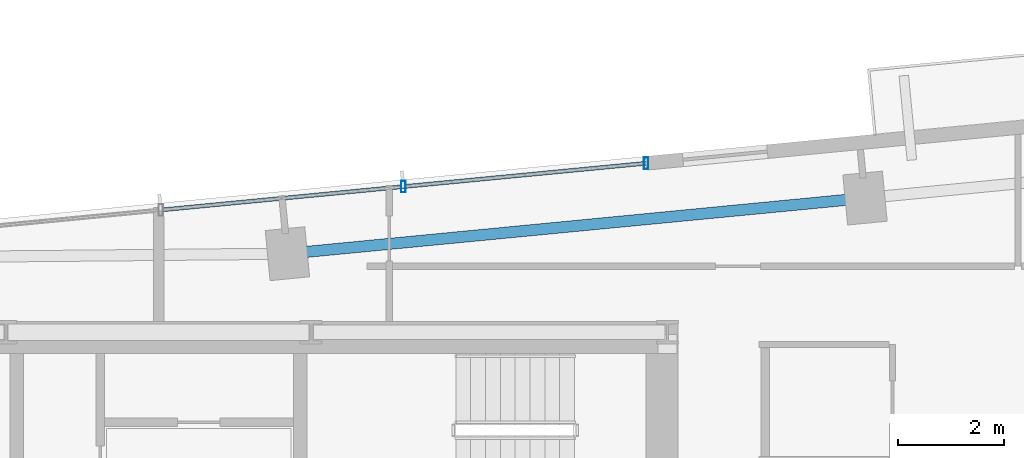
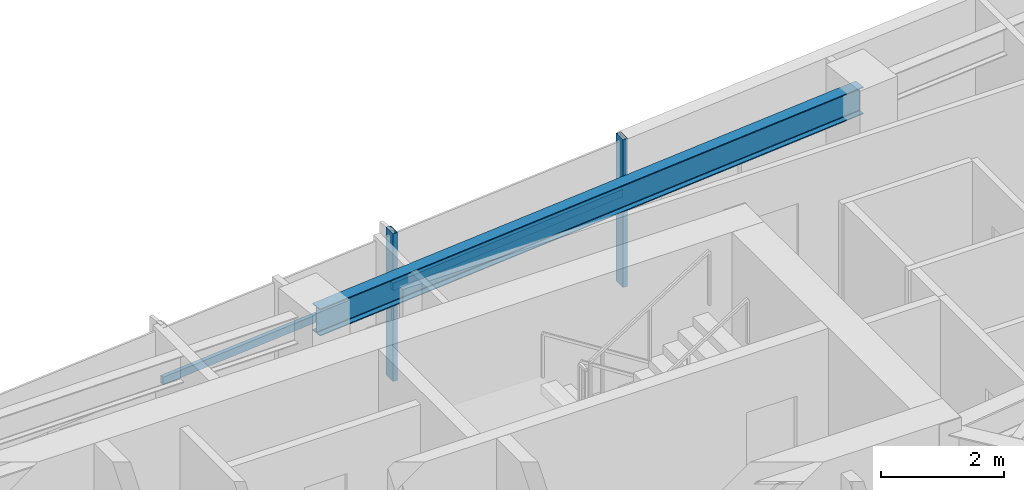
# One storey, part 7 of 18: 4 members, 1 beam, 1 element without a shape of its own.
"""IFC4 building model written with IfcOpenShell, lengths in metres."""

from ifc_helpers import new_model, si_unit, direction, frame, origin, origin_2d, place, context, subcontext, project, spatial, hollow_rectangle, i_section, extrude, source, transform, mapped, material, material_profile, profile_set, type_object, type_shapes, element, aggregate, save


model = new_model("IFC4")

# Units and contexts
model_context = context("Model", 3, precision=1e-05, world=origin(), true_north=direction((0.0, 1.0)))
body_context = subcontext(model_context, "Body", "Model", "MODEL_VIEW")
ifc_project = project(units=[si_unit("LENGTHUNIT", "METRE"), si_unit("AREAUNIT", "SQUARE_METRE"), si_unit("VOLUMEUNIT", "CUBIC_METRE"), si_unit("PLANEANGLEUNIT", "RADIAN"), si_unit("MASSUNIT", "GRAM", prefix="KILO")], contexts=[model_context])

# Site, building, storey
site_placement = place(None, origin())
site = spatial("IfcSite", under=ifc_project, at=site_placement, CompositionType="ELEMENT")
building_placement = place(site_placement, origin())
building = spatial("IfcBuilding", under=site, at=building_placement, Name="Astriad Promenade Condominiums", CompositionType="ELEMENT")
storey_placement = place(building_placement, frame((0.0, 0.0, 185.800048828125)))
storey = spatial("IfcBuildingStorey", under=building, at=storey_placement, Name="L53", CompositionType="ELEMENT", Elevation=185.800048828125)

# Beam
ifc_material_1 = material(Name="Steel ASTM A992 Grade 50", Category="steel")
ifc_material_profile_1 = material_profile(ifc_material_1, i_section(OverallWidth=0.210693359375, OverallDepth=0.53955078125, WebThickness=0.01171875, FlangeThickness=0.018798828125, FilletRadius=0.0166015625, at=origin_2d()), Name="W21X73")
ifc_profile_set_1 = profile_set([ifc_material_profile_1], Name="Steel ASTM A992 Grade 50")
beam_type = type_object("IfcBeamType", Name="STEEL SPANDREL BEAM W21X73", PredefinedType="SPANDREL", material=ifc_profile_set_1)
shared_shape_1 = source(origin(), body_context, "Body", "SweptSolid", [
    extrude(i_section(OverallWidth=0.210693359375, OverallDepth=0.53955078125, WebThickness=0.01171875, FlangeThickness=0.018798828125, FilletRadius=0.0166015625, at=origin_2d()), origin(), (0.0, 0.0, 1.0), 10.869873046875),
])
type_shapes(beam_type, [shared_shape_1])
beam_placement = place(storey_placement, frame((49.291015625, 26.52880859375, 2.670166015625), z_axis=(-0.995394779798, -0.09586048378, 0.0), x_axis=(0.09586048378, -0.995394779798, 0.0)))
element("IfcBeam", 1, at=beam_placement, inside=storey, type_object=beam_type, Name="Perimeter Spandrel Beam SP-N3-L53", PredefinedType="SPANDREL", context=body_context, shape_type="MappedRepresentation", body=[
    mapped(shared_shape_1, transform((0.0, 0.0, 0.0), scale=1.0)),
])

# Curtain wall, members
ifc_material_2 = material(Name="Anodised aluminium Black Dark Glass Unitised", Category="aluminium")
curtain_wall_type = type_object("IfcCurtainWallType", Name="CW-B34-DARK", PredefinedType="USERDEFINED", material=ifc_material_2)
curtain_wall_placement = place(storey_placement, origin())
curtain_wall = element("IfcCurtainWall", 2, at=curtain_wall_placement, inside=storey, type_object=curtain_wall_type, Name="CW-L53-N", ObjectType="UNITISED_CURTAIN_WALL", PredefinedType="USERDEFINED")
ifc_material_3 = material(Name="Anodised aluminium 6063-T6 Black", Category="aluminium")
ifc_material_profile_2 = material_profile(ifc_material_3, hollow_rectangle(XDim=0.0849609375, YDim=0.219970703125, WallThickness=0.0048828125, at=origin_2d()), Name="ALU-MUL-85X220")
ifc_profile_set_2 = profile_set([ifc_material_profile_2], Name="Anodised aluminium 6063-T6 Black")
member_type_1 = type_object("IfcMemberType", Name="MUL-ALU-MUL-85X220", PredefinedType="MULLION", material=ifc_profile_set_2)
shared_shape_2 = source(origin(), body_context, "Body", "SweptSolid", [
    extrude(hollow_rectangle(XDim=0.0849609375, YDim=0.219970703125, WallThickness=0.0048828125, at=origin_2d()), origin(), (0.0, 0.0, 1.0), 2.93994140625),
])
type_shapes(member_type_1, [shared_shape_2])
member_1_placement = place(storey_placement, frame((40.6201171875, 26.748779296875, 0.0), z_axis=(0.0, 0.0, 1.0), x_axis=(1.0, 0.0, 0.0)))
member_1 = element("IfcMember", 3, at=member_1_placement, type_object=member_type_1, Name="CW-L53-N-MUL-02", PredefinedType="MULLION", context=body_context, shape_type="MappedRepresentation", body=[
    mapped(shared_shape_2, transform((0.0, 0.0, 0.0), scale=1.0)),
])
member_2_placement = place(storey_placement, frame((45.198974609375, 27.189697265625, 0.0), z_axis=(0.0, 0.0, 1.0), x_axis=(1.0, 0.0, 0.0)))
member_2 = element("IfcMember", 4, at=member_2_placement, type_object=member_type_1, Name="CW-L53-N-MUL-03", PredefinedType="MULLION", context=body_context, shape_type="MappedRepresentation", body=[
    mapped(shared_shape_2, transform((0.0, 0.0, 0.0), scale=1.0)),
])
ifc_material_profile_3 = material_profile(ifc_material_3, hollow_rectangle(XDim=0.074951171875, YDim=0.14990234375, WallThickness=0.004150390625, at=origin_2d()), Name="ALU-TRN-75X150")
ifc_profile_set_3 = profile_set([ifc_material_profile_3], Name="Anodised aluminium 6063-T6 Black")
member_type_2 = type_object("IfcMemberType", Name="TRN-ALU-TRN-75X150", PredefinedType="USERDEFINED", material=ifc_profile_set_3)
shared_shape_3 = source(origin(), body_context, "Body", "SweptSolid", [
    extrude(hollow_rectangle(XDim=0.074951171875, YDim=0.14990234375, WallThickness=0.004150390625, at=origin_2d()), origin(), (0.0, 0.0, 1.0), 4.60009765625),
])
type_shapes(member_type_2, [shared_shape_3])
member_3_placement = place(storey_placement, frame((36.041259765625, 26.307861328125, 1.82275390625), z_axis=(0.995395697572, 0.095850953336, 0.0), x_axis=(-0.095850953336, 0.995395697572, 0.0)))
member_3 = element("IfcMember", 5, at=member_3_placement, type_object=member_type_2, Name="CW-L53-N-TRN-01-0", ObjectType="TRANSOM", PredefinedType="USERDEFINED", context=body_context, shape_type="MappedRepresentation", body=[
    mapped(shared_shape_3, transform((0.0, 0.0, 0.0), scale=1.0)),
])
member_4_placement = place(storey_placement, frame((40.6201171875, 26.748779296875, 1.82275390625), z_axis=(0.995395697572, 0.095850953336, 0.0), x_axis=(-0.095850953336, 0.995395697572, 0.0)))
member_4 = element("IfcMember", 6, at=member_4_placement, type_object=member_type_2, Name="CW-L53-N-TRN-02-0", ObjectType="TRANSOM", PredefinedType="USERDEFINED", context=body_context, shape_type="MappedRepresentation", body=[
    mapped(shared_shape_3, transform((0.0, 0.0, 0.0), scale=1.0)),
])
aggregate(curtain_wall, [member_1, member_2, member_3, member_4])

save(model, "model.ifc")
